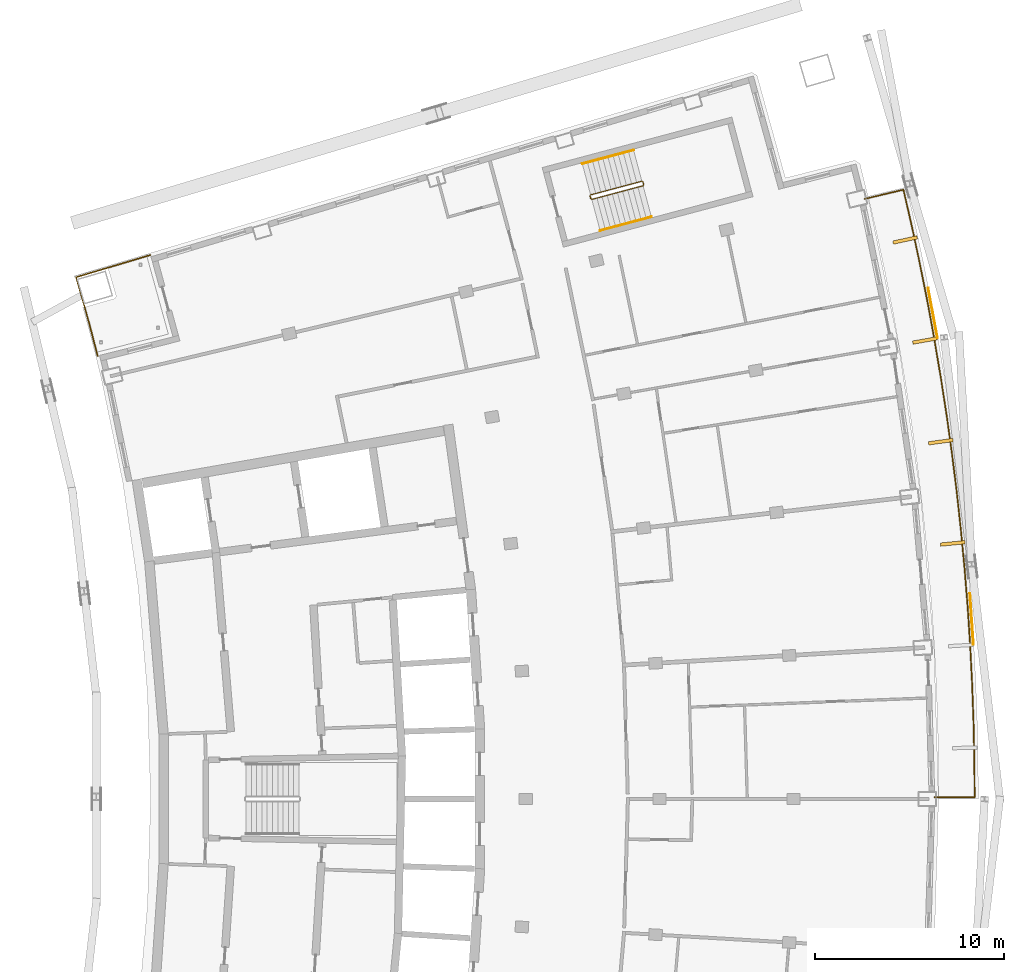
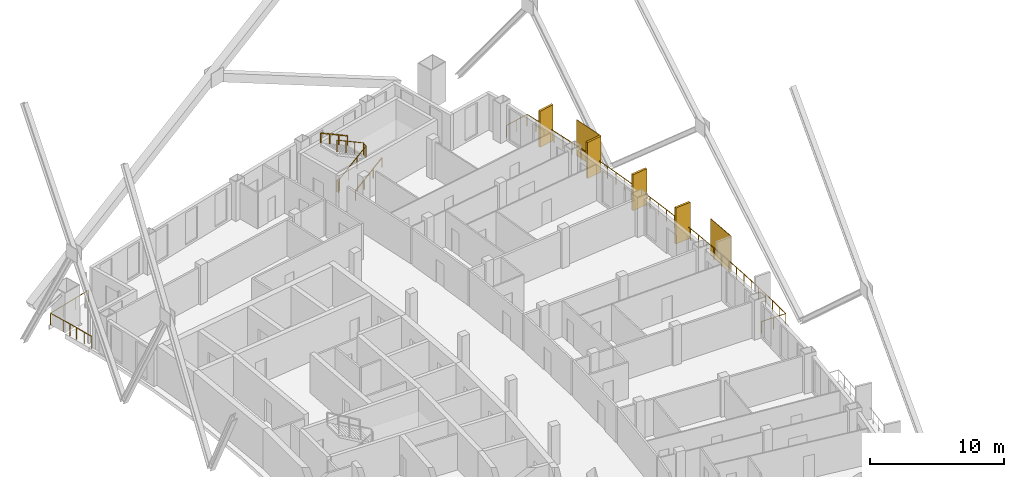
# One storey, part 16 of 16: 6 shading devices, 5 railings.
"""IFC4 building model written with IfcOpenShell, lengths in metres."""

import ifcopenshell
import ifcopenshell.guid

model = None  # the IFC model being written
_history = None  # IfcOwnerHistory: only IFC2X3 demands one
_inside = {}  # id of a spatial element -> (the spatial element, [elements in it])
_under = {}  # id of a project, library or spatial element -> (it, [spatial elements below it])
_declared = {}  # id of a project -> (the project, [libraries it declares])
_typed = {}  # id of a type object -> (the type object, [elements of that type])
_made_of = {}  # id of a material, layer set ... -> (it, [elements and type objects made of it])


def new_model(schema):
    """Start an empty IFC model of exactly this schema.

    Asked for "IFC4X3", IfcOpenShell would pick the latest addendum, in which some entities
    have other attributes; the version numbers below select the first issue.
    IFC2X3 requires an IfcOwnerHistory on every rooted entity: one is made here for all.
    """
    global model, _history
    if schema == "IFC4X3":
        model = ifcopenshell.file(schema_version=(4, 3, 0, 0))
    else:
        model = ifcopenshell.file(schema=schema)
    _inside.clear()
    _under.clear()
    _declared.clear()
    _typed.clear()
    _made_of.clear()
    _history = None
    if model.schema == "IFC2X3":
        org = make("IfcOrganization", Name="unknown")
        user = make(
            "IfcPersonAndOrganization",
            ThePerson=make("IfcPerson", FamilyName="unknown"),
            TheOrganization=org,
        )
        app = make(
            "IfcApplication",
            ApplicationDeveloper=org,
            Version="unknown",
            ApplicationFullName="unknown",
            ApplicationIdentifier="unknown",
        )
        _history = make(
            "IfcOwnerHistory",
            OwningUser=user,
            OwningApplication=app,
            ChangeAction="ADDED",
            CreationDate=0,
        )
    return model


def make(cls, **values):
    """One entity of the class cls with the attributes given. An attribute that is None is left unset."""
    return model.create_entity(
        cls, **{name: value for name, value in values.items() if value is not None}
    )


def rooted(cls, **values):
    """An entity with a GlobalId (a new one), such as an element, a storey or a relation."""
    return make(cls, GlobalId=ifcopenshell.guid.new(), OwnerHistory=_history, **values)


def si_unit(unit_type, name, prefix=None):
    """IfcSIUnit, for example si_unit("LENGTHUNIT", "METRE", prefix="MILLI")."""
    return make("IfcSIUnit", UnitType=unit_type, Prefix=prefix, Name=name)


def assignment(units):
    """IfcUnitAssignment: the units of a project."""
    return None if units is None else make("IfcUnitAssignment", Units=units)


def point(xyz):
    """IfcCartesianPoint."""
    return None if xyz is None else make("IfcCartesianPoint", Coordinates=xyz)


def direction(xyz):
    """IfcDirection."""
    return None if xyz is None else make("IfcDirection", DirectionRatios=xyz)


def frame(location, z_axis=None, x_axis=None):
    """IfcAxis2Placement3D, a coordinate frame: its origin and axes. An axis left out is left unset."""
    return make(
        "IfcAxis2Placement3D",
        Location=point(location),
        Axis=direction(z_axis),
        RefDirection=direction(x_axis),
    )


def frame_2d(location, x_axis=None):
    """IfcAxis2Placement2D, a coordinate frame in the plane: its origin and x axis."""
    return make(
        "IfcAxis2Placement2D", Location=point(location), RefDirection=direction(x_axis)
    )


def origin():
    """The frame at (0, 0, 0) with its axes left unset."""
    return frame((0.0, 0.0, 0.0))


def origin_2d():
    """The frame at (0, 0) in the plane with its x axis left unset."""
    return frame_2d((0.0, 0.0))


def place(relative_to, where):
    """IfcLocalPlacement: puts the frame where relative to a parent placement (None: the world)."""
    return make(
        "IfcLocalPlacement", PlacementRelTo=relative_to, RelativePlacement=where
    )


def context(
    kind, dimensions, precision=None, world=None, true_north=None, identifier=None
):
    """IfcGeometricRepresentationContext, for example the 3D "Model" context."""
    return make(
        "IfcGeometricRepresentationContext",
        ContextIdentifier=identifier,
        ContextType=kind,
        CoordinateSpaceDimension=dimensions,
        Precision=precision,
        WorldCoordinateSystem=world,
        TrueNorth=true_north,
    )


def subcontext(parent, identifier, kind, view, scale=None):
    """IfcGeometricRepresentationSubContext, for example "Body" below "Model"."""
    return make(
        "IfcGeometricRepresentationSubContext",
        ContextIdentifier=identifier,
        ContextType=kind,
        ParentContext=parent,
        TargetScale=scale,
        TargetView=view,
    )


def project(units=None, contexts=None):
    """IfcProject with its units and contexts."""
    return rooted(
        "IfcProject",
        Name="project",
        RepresentationContexts=contexts,
        UnitsInContext=assignment(units),
    )


def spatial(cls, under=None, at=None, **own):
    """A site, building, storey or space (cls), placed at a placement, below another one or the project."""
    s = rooted(cls, ObjectPlacement=at, **own)
    if under is not None:
        _under.setdefault(under.id(), (under, []))[1].append(s)
    return s


def profile(cls, at=None, kind="AREA", **sizes):
    """A parametric profile (cls). Its sizes go by their IFC names, for example OverallWidth=200.0."""
    return make(cls, ProfileType=kind, Position=at, **sizes)


def rectangle(**sizes):
    """IfcRectangleProfileDef."""
    return profile("IfcRectangleProfileDef", **sizes)


def extrude(swept, where, along, depth):
    """IfcExtrudedAreaSolid: the profile swept, set in the frame where, extruded along a direction by depth."""
    return make(
        "IfcExtrudedAreaSolid",
        SweptArea=swept,
        Position=where,
        ExtrudedDirection=direction(along),
        Depth=depth,
    )


def shape(context_of_items, identifier, shape_type, items):
    """IfcShapeRepresentation: the items that make up one representation, for example the "Body"."""
    return make(
        "IfcShapeRepresentation",
        ContextOfItems=context_of_items,
        RepresentationIdentifier=identifier,
        RepresentationType=shape_type,
        Items=items,
    )


def material(Name=None, Category=None):
    """IfcMaterial."""
    return make("IfcMaterial", Name=Name, Category=Category)


def layer(
    of_material, thickness, ventilated=None, Name=None, Category=None, Priority=None
):
    """IfcMaterialLayer: one layer of a wall or slab, of a material (None: an air gap)."""
    return make(
        "IfcMaterialLayer",
        Material=of_material,
        LayerThickness=thickness,
        IsVentilated=ventilated,
        Name=Name,
        Category=Category,
        Priority=Priority,
    )


def layer_set(layers, Name=None):
    """IfcMaterialLayerSet."""
    return make("IfcMaterialLayerSet", MaterialLayers=layers, LayerSetName=Name)


def made_of(thing, what):
    """Note that an element or type object is made of a material, layer set ...; save() writes the relation."""
    if what is not None:
        _made_of.setdefault(what.id(), (what, []))[1].append(thing)
    return thing


def type_object(cls, material=None, **own):
    """A type object (cls), such as IfcWallType, which elements share."""
    return made_of(rooted(cls, **own), material)


def element(
    cls,
    number,
    at=None,
    inside=None,
    cuts=None,
    type_object=None,
    material=None,
    context=None,
    identifier="Body",
    shape_type=None,
    held_by="IfcProductDefinitionShape",
    body=None,
    shapes=None,
    **own,
):
    """One element of the class cls, such as IfcWall. Its Tag is "e" and its number.

    at: its placement. inside: the storey or other place that contains it. cuts: it is an
    opening in that element (IfcRelVoidsElement). A single representation is given by context,
    identifier, shape_type and body (its items); several are given by shapes. held_by: the class
    of the entity that holds the representations. save() writes the other relations.
    """
    e = rooted(cls, Tag="e%d" % number, ObjectPlacement=at, **own)
    if body is not None:
        shapes = [shape(context, identifier, shape_type, body)]
    if shapes is not None:
        e.Representation = make(held_by, Representations=shapes)
    if inside is not None:
        _inside.setdefault(inside.id(), (inside, []))[1].append(e)
    if cuts is not None:
        rooted(
            "IfcRelVoidsElement", RelatingBuildingElement=cuts, RelatedOpeningElement=e
        )
    if type_object is not None:
        _typed.setdefault(type_object.id(), (type_object, []))[1].append(e)
    return made_of(e, material)


def aggregate(whole, parts):
    """IfcRelAggregates: a whole, such as a stair, and the parts it consists of."""
    return rooted("IfcRelAggregates", RelatingObject=whole, RelatedObjects=parts)


def save(model, path):
    """Write the relations noted so far, then the file.

    IfcRelAggregates (storeys below a building ...), IfcRelContainedInSpatialStructure (elements
    in a storey), IfcRelDefinesByType, IfcRelAssociatesMaterial and IfcRelDeclares: one each for
    every whole, place, type object, material and project.
    """
    for whole, parts in _under.values():
        aggregate(whole, parts)
    for where, things in _inside.values():
        rooted(
            "IfcRelContainedInSpatialStructure",
            RelatedElements=things,
            RelatingStructure=where,
        )
    for kind, things in _typed.values():
        rooted("IfcRelDefinesByType", RelatedObjects=things, RelatingType=kind)
    for what, things in _made_of.values():
        rooted("IfcRelAssociatesMaterial", RelatedObjects=things, RelatingMaterial=what)
    for by, libraries in _declared.values():
        rooted("IfcRelDeclares", RelatingContext=by, RelatedDefinitions=libraries)
    model.write(path)


model = new_model("IFC4")

# Units and contexts
model_context = context("Model", 3, precision=1e-05, world=origin(), true_north=direction((0.0, 1.0)))
body_context = subcontext(model_context, "Body", "Model", "MODEL_VIEW")
ifc_project = project(units=[si_unit("LENGTHUNIT", "METRE"), si_unit("AREAUNIT", "SQUARE_METRE"), si_unit("VOLUMEUNIT", "CUBIC_METRE"), si_unit("PLANEANGLEUNIT", "RADIAN"), si_unit("MASSUNIT", "GRAM", prefix="KILO")], contexts=[model_context])

# Site, building, storey
site_placement = place(None, origin())
site = spatial("IfcSite", under=ifc_project, at=site_placement, CompositionType="ELEMENT")
building_placement = place(site_placement, origin())
building = spatial("IfcBuilding", under=site, at=building_placement, Name="Alderwake Tower", CompositionType="ELEMENT")
storey_placement = place(building_placement, frame((0.0, 0.0, 245.60009765625)))
storey = spatial("IfcBuildingStorey", under=building, at=storey_placement, Name="L60", CompositionType="ELEMENT", Elevation=245.60009765625)

# Railings
ifc_material_1 = material(Name="Stainless steel 316 rail and posts", Category="steel")
railing_type_1 = type_object("IfcRailingType", Name="Balcony guard 1100", PredefinedType="GUARDRAIL", material=ifc_material_1)
railing_1_placement = place(storey_placement, frame((57.39990234375, 61.098388671875, 0.0)))
element("IfcRailing", 1, at=railing_1_placement, inside=storey, type_object=railing_type_1, Name="Guard BF07", PredefinedType="GUARDRAIL", context=body_context, shape_type="SweptSolid", body=[
    extrude(rectangle(XDim=0.048095703125, YDim=0.048095703125, at=origin_2d()), frame((0.0, 0.0, 1.076171875), z_axis=(0.999999668894, 0.000813763971, 0.0), x_axis=(-0.000813763971, 0.999999668894, 0.0)), (0.0, 0.0, 1.0), 2.10009765625),
    extrude(rectangle(XDim=0.048095703125, YDim=0.048095703125, at=origin_2d()), frame((2.10009765625, 0.001708984375, 1.076171875), z_axis=(-0.007699847475, 0.999970355735, 0.0), x_axis=(-0.999970355735, -0.007699847475, 0.0)), (0.0, 0.0, 1.0), 1.93408203125),
    extrude(rectangle(XDim=0.048095703125, YDim=0.048095703125, at=origin_2d()), frame((2.085205078125, 1.935791015625, 1.076171875), z_axis=(-0.021840905717, 0.999761458968, 0.0), x_axis=(-0.999761458968, -0.021840905717, 0.0)), (0.0, 0.0, 1.0), 2.034423828125),
    extrude(rectangle(XDim=0.048095703125, YDim=0.048095703125, at=origin_2d()), frame((2.040771484375, 3.9697265625, 1.076171875), z_axis=(-0.036479066148, 0.999334417366, 0.0), x_axis=(-0.999334417366, -0.036479066148, 0.0)), (0.0, 0.0, 1.0), 2.03466796875),
    extrude(rectangle(XDim=0.048095703125, YDim=0.048095703125, at=origin_2d()), frame((1.966552734375, 6.0029296875, 1.076171875), z_axis=(-0.05100910108, 0.998698188447, 0.0), x_axis=(-0.998698188447, -0.05100910108, 0.0)), (0.0, 0.0, 1.0), 2.0341796875),
    extrude(rectangle(XDim=0.048095703125, YDim=0.048095703125, at=origin_2d()), frame((1.86279296875, 8.034423828125, 1.076171875), z_axis=(-0.065523351264, 0.997851036197, 0.0), x_axis=(-0.997851036197, -0.065523351264, 0.0)), (0.0, 0.0, 1.0), 2.034423828125),
    extrude(rectangle(XDim=0.048095703125, YDim=0.048095703125, at=origin_2d()), frame((1.7294921875, 10.064453125, 1.076171875), z_axis=(-0.080164954989, 0.996781610982, 0.0), x_axis=(-0.996781610982, -0.080164954989, 0.0)), (0.0, 0.0, 1.0), 2.034423828125),
    extrude(rectangle(XDim=0.048095703125, YDim=0.048095703125, at=origin_2d()), frame((1.56640625, 12.09228515625, 1.076171875), z_axis=(-0.094690157844, 0.995506792547, 0.0), x_axis=(-0.995506792547, -0.094690157844, 0.0)), (0.0, 0.0, 1.0), 2.0341796875),
    extrude(rectangle(XDim=0.048095703125, YDim=0.048095703125, at=origin_2d()), frame((1.373779296875, 14.117431640625, 1.076171875), z_axis=(-0.109087913088, 0.994032105728, 0.0), x_axis=(-0.994032105728, -0.109087913088, 0.0)), (0.0, 0.0, 1.0), 2.034423828125),
    extrude(rectangle(XDim=0.048095703125, YDim=0.048095703125, at=origin_2d()), frame((1.15185546875, 16.1396484375, 1.076171875), z_axis=(-0.123606393187, 0.992331325497, 0.0), x_axis=(-0.992331325497, -0.123606393187, 0.0)), (0.0, 0.0, 1.0), 2.034423828125),
    extrude(rectangle(XDim=0.048095703125, YDim=0.048095703125, at=origin_2d()), frame((0.900390625, 18.158447265625, 1.076171875), z_axis=(-0.138127592806, 0.990414442597, 0.0), x_axis=(-0.990414442597, -0.138127592806, 0.0)), (0.0, 0.0, 1.0), 2.034423828125),
    extrude(rectangle(XDim=0.048095703125, YDim=0.048095703125, at=origin_2d()), frame((0.619384765625, 20.17333984375, 1.076171875), z_axis=(-0.152535132968, 0.988298048774, 0.0), x_axis=(-0.988298048774, -0.152535132968, 0.0)), (0.0, 0.0, 1.0), 2.034423828125),
    extrude(rectangle(XDim=0.048095703125, YDim=0.048095703125, at=origin_2d()), frame((0.30908203125, 22.183837890625, 1.076171875), z_axis=(-0.166928302152, 0.985969037009, 0.0), x_axis=(-0.985969037009, -0.166928302152, 0.0)), (0.0, 0.0, 1.0), 2.034423828125),
    extrude(rectangle(XDim=0.048095703125, YDim=0.048095703125, at=origin_2d()), frame((-0.030517578125, 24.189697265625, 1.076171875), z_axis=(-0.181324306286, 0.983423355402, 0.0), x_axis=(-0.983423355402, -0.181324306286, 0.0)), (0.0, 0.0, 1.0), 2.034423828125),
    extrude(rectangle(XDim=0.048095703125, YDim=0.048095703125, at=origin_2d()), frame((-0.3994140625, 26.1904296875, 1.076171875), z_axis=(-0.195631417955, 0.980677494546, 0.0), x_axis=(-0.980677494546, -0.195631417955, 0.0)), (0.0, 0.0, 1.0), 2.0341796875),
    extrude(rectangle(XDim=0.048095703125, YDim=0.048095703125, at=origin_2d()), frame((-0.79736328125, 28.185302734375, 1.076171875), z_axis=(-0.209897885741, 0.977723313398, 0.0), x_axis=(-0.977723313398, -0.209897885741, 0.0)), (0.0, 0.0, 1.0), 2.034423828125),
    extrude(rectangle(XDim=0.048095703125, YDim=0.048095703125, at=origin_2d()), frame((-1.224365234375, 30.17431640625, 1.076171875), z_axis=(-0.223633448533, 0.974673319988, 0.0), x_axis=(-0.974673319988, -0.223633448533, 0.0)), (0.0, 0.0, 1.0), 1.9345703125),
    extrude(rectangle(XDim=0.048095703125, YDim=0.048095703125, at=origin_2d()), frame((-1.656982421875, 32.059814453125, 1.076171875), z_axis=(-0.973069996158, -0.230509831846, 0.0), x_axis=(0.230509831846, -0.973069996158, 0.0)), (0.0, 0.0, 1.0), 2.100341796875),
    extrude(rectangle(XDim=0.0419921875, YDim=0.0419921875, at=origin_2d()), frame((0.0, 0.0, 0.0), z_axis=(0.0, 0.0, 1.0), x_axis=(0.999999668894, 0.000813763971, 0.0)), (0.0, 0.0, 1.0), 1.052001953125),
    extrude(rectangle(XDim=0.0419921875, YDim=0.0419921875, at=origin_2d()), frame((1.050048828125, 0.0009765625, 0.0), z_axis=(0.0, 0.0, 1.0), x_axis=(0.999999668894, 0.000813763971, 0.0)), (0.0, 0.0, 1.0), 1.052001953125),
    extrude(rectangle(XDim=0.0419921875, YDim=0.0419921875, at=origin_2d()), frame((2.10009765625, 0.001708984375, 0.0), z_axis=(0.0, 0.0, 1.0), x_axis=(-0.007699847475, 0.999970355735, 0.0)), (0.0, 0.0, 1.0), 1.052001953125),
    extrude(rectangle(XDim=0.0419921875, YDim=0.0419921875, at=origin_2d()), frame((2.0927734375, 0.96875, 0.0), z_axis=(0.0, 0.0, 1.0), x_axis=(-0.007699847475, 0.999970355735, 0.0)), (0.0, 0.0, 1.0), 1.052001953125),
    extrude(rectangle(XDim=0.0419921875, YDim=0.0419921875, at=origin_2d()), frame((2.085205078125, 1.935791015625, 0.0), z_axis=(0.0, 0.0, 1.0), x_axis=(-0.021840905717, 0.999761458968, 0.0)), (0.0, 0.0, 1.0), 1.052001953125),
    extrude(rectangle(XDim=0.0419921875, YDim=0.0419921875, at=origin_2d()), frame((2.06298828125, 2.95263671875, 0.0), z_axis=(0.0, 0.0, 1.0), x_axis=(-0.021840905717, 0.999761458968, 0.0)), (0.0, 0.0, 1.0), 1.052001953125),
    extrude(rectangle(XDim=0.0419921875, YDim=0.0419921875, at=origin_2d()), frame((2.040771484375, 3.9697265625, 0.0), z_axis=(0.0, 0.0, 1.0), x_axis=(-0.036479066148, 0.999334417366, 0.0)), (0.0, 0.0, 1.0), 1.052001953125),
    extrude(rectangle(XDim=0.0419921875, YDim=0.0419921875, at=origin_2d()), frame((2.003662109375, 4.986328125, 0.0), z_axis=(0.0, 0.0, 1.0), x_axis=(-0.036479066148, 0.999334417366, 0.0)), (0.0, 0.0, 1.0), 1.052001953125),
    extrude(rectangle(XDim=0.0419921875, YDim=0.0419921875, at=origin_2d()), frame((1.966552734375, 6.0029296875, 0.0), z_axis=(0.0, 0.0, 1.0), x_axis=(-0.05100910108, 0.998698188447, 0.0)), (0.0, 0.0, 1.0), 1.052001953125),
    extrude(rectangle(XDim=0.0419921875, YDim=0.0419921875, at=origin_2d()), frame((1.91455078125, 7.0185546875, 0.0), z_axis=(0.0, 0.0, 1.0), x_axis=(-0.05100910108, 0.998698188447, 0.0)), (0.0, 0.0, 1.0), 1.052001953125),
    extrude(rectangle(XDim=0.0419921875, YDim=0.0419921875, at=origin_2d()), frame((1.86279296875, 8.034423828125, 0.0), z_axis=(0.0, 0.0, 1.0), x_axis=(-0.065523351264, 0.997851036197, 0.0)), (0.0, 0.0, 1.0), 1.052001953125),
    extrude(rectangle(XDim=0.0419921875, YDim=0.0419921875, at=origin_2d()), frame((1.796142578125, 9.04931640625, 0.0), z_axis=(0.0, 0.0, 1.0), x_axis=(-0.065523351264, 0.997851036197, 0.0)), (0.0, 0.0, 1.0), 1.052001953125),
    extrude(rectangle(XDim=0.0419921875, YDim=0.0419921875, at=origin_2d()), frame((1.7294921875, 10.064453125, 0.0), z_axis=(0.0, 0.0, 1.0), x_axis=(-0.080164954989, 0.996781610982, 0.0)), (0.0, 0.0, 1.0), 1.052001953125),
    extrude(rectangle(XDim=0.0419921875, YDim=0.0419921875, at=origin_2d()), frame((1.64794921875, 11.078369140625, 0.0), z_axis=(0.0, 0.0, 1.0), x_axis=(-0.080164954989, 0.996781610982, 0.0)), (0.0, 0.0, 1.0), 1.052001953125),
    extrude(rectangle(XDim=0.0419921875, YDim=0.0419921875, at=origin_2d()), frame((1.56640625, 12.09228515625, 0.0), z_axis=(0.0, 0.0, 1.0), x_axis=(-0.094690157844, 0.995506792547, 0.0)), (0.0, 0.0, 1.0), 1.052001953125),
    extrude(rectangle(XDim=0.0419921875, YDim=0.0419921875, at=origin_2d()), frame((1.47021484375, 13.10498046875, 0.0), z_axis=(0.0, 0.0, 1.0), x_axis=(-0.094690157844, 0.995506792547, 0.0)), (0.0, 0.0, 1.0), 1.052001953125),
    extrude(rectangle(XDim=0.0419921875, YDim=0.0419921875, at=origin_2d()), frame((1.373779296875, 14.117431640625, 0.0), z_axis=(0.0, 0.0, 1.0), x_axis=(-0.109087913088, 0.994032105728, 0.0)), (0.0, 0.0, 1.0), 1.052001953125),
    extrude(rectangle(XDim=0.0419921875, YDim=0.0419921875, at=origin_2d()), frame((1.2626953125, 15.12841796875, 0.0), z_axis=(0.0, 0.0, 1.0), x_axis=(-0.109087913088, 0.994032105728, 0.0)), (0.0, 0.0, 1.0), 1.052001953125),
    extrude(rectangle(XDim=0.0419921875, YDim=0.0419921875, at=origin_2d()), frame((1.15185546875, 16.1396484375, 0.0), z_axis=(0.0, 0.0, 1.0), x_axis=(-0.123606393187, 0.992331325497, 0.0)), (0.0, 0.0, 1.0), 1.052001953125),
    extrude(rectangle(XDim=0.0419921875, YDim=0.0419921875, at=origin_2d()), frame((1.026123046875, 17.14892578125, 0.0), z_axis=(0.0, 0.0, 1.0), x_axis=(-0.123606393187, 0.992331325497, 0.0)), (0.0, 0.0, 1.0), 1.052001953125),
    extrude(rectangle(XDim=0.0419921875, YDim=0.0419921875, at=origin_2d()), frame((0.900390625, 18.158447265625, 0.0), z_axis=(0.0, 0.0, 1.0), x_axis=(-0.138127592806, 0.990414442597, 0.0)), (0.0, 0.0, 1.0), 1.052001953125),
    extrude(rectangle(XDim=0.0419921875, YDim=0.0419921875, at=origin_2d()), frame((0.759765625, 19.166015625, 0.0), z_axis=(0.0, 0.0, 1.0), x_axis=(-0.138127592806, 0.990414442597, 0.0)), (0.0, 0.0, 1.0), 1.052001953125),
    extrude(rectangle(XDim=0.0419921875, YDim=0.0419921875, at=origin_2d()), frame((0.619384765625, 20.17333984375, 0.0), z_axis=(0.0, 0.0, 1.0), x_axis=(-0.152535132968, 0.988298048774, 0.0)), (0.0, 0.0, 1.0), 1.052001953125),
    extrude(rectangle(XDim=0.0419921875, YDim=0.0419921875, at=origin_2d()), frame((0.46435546875, 21.1787109375, 0.0), z_axis=(0.0, 0.0, 1.0), x_axis=(-0.152535132968, 0.988298048774, 0.0)), (0.0, 0.0, 1.0), 1.052001953125),
    extrude(rectangle(XDim=0.0419921875, YDim=0.0419921875, at=origin_2d()), frame((0.30908203125, 22.183837890625, 0.0), z_axis=(0.0, 0.0, 1.0), x_axis=(-0.166928302152, 0.985969037009, 0.0)), (0.0, 0.0, 1.0), 1.052001953125),
    extrude(rectangle(XDim=0.0419921875, YDim=0.0419921875, at=origin_2d()), frame((0.13916015625, 23.186767578125, 0.0), z_axis=(0.0, 0.0, 1.0), x_axis=(-0.166928302152, 0.985969037009, 0.0)), (0.0, 0.0, 1.0), 1.052001953125),
    extrude(rectangle(XDim=0.0419921875, YDim=0.0419921875, at=origin_2d()), frame((-0.030517578125, 24.189697265625, 0.0), z_axis=(0.0, 0.0, 1.0), x_axis=(-0.181324306286, 0.983423355402, 0.0)), (0.0, 0.0, 1.0), 1.052001953125),
    extrude(rectangle(XDim=0.0419921875, YDim=0.0419921875, at=origin_2d()), frame((-0.21484375, 25.18994140625, 0.0), z_axis=(0.0, 0.0, 1.0), x_axis=(-0.181324306286, 0.983423355402, 0.0)), (0.0, 0.0, 1.0), 1.052001953125),
    extrude(rectangle(XDim=0.0419921875, YDim=0.0419921875, at=origin_2d()), frame((-0.3994140625, 26.1904296875, 0.0), z_axis=(0.0, 0.0, 1.0), x_axis=(-0.195631417955, 0.980677494546, 0.0)), (0.0, 0.0, 1.0), 1.052001953125),
    extrude(rectangle(XDim=0.0419921875, YDim=0.0419921875, at=origin_2d()), frame((-0.598388671875, 27.18798828125, 0.0), z_axis=(0.0, 0.0, 1.0), x_axis=(-0.195631417955, 0.980677494546, 0.0)), (0.0, 0.0, 1.0), 1.052001953125),
    extrude(rectangle(XDim=0.0419921875, YDim=0.0419921875, at=origin_2d()), frame((-0.79736328125, 28.185302734375, 0.0), z_axis=(0.0, 0.0, 1.0), x_axis=(-0.209897885741, 0.977723313398, 0.0)), (0.0, 0.0, 1.0), 1.052001953125),
    extrude(rectangle(XDim=0.0419921875, YDim=0.0419921875, at=origin_2d()), frame((-1.0107421875, 29.1796875, 0.0), z_axis=(0.0, 0.0, 1.0), x_axis=(-0.209897885741, 0.977723313398, 0.0)), (0.0, 0.0, 1.0), 1.052001953125),
    extrude(rectangle(XDim=0.0419921875, YDim=0.0419921875, at=origin_2d()), frame((-1.224365234375, 30.17431640625, 0.0), z_axis=(0.0, 0.0, 1.0), x_axis=(-0.223633448533, 0.974673319988, 0.0)), (0.0, 0.0, 1.0), 1.052001953125),
    extrude(rectangle(XDim=0.0419921875, YDim=0.0419921875, at=origin_2d()), frame((-1.440673828125, 31.1171875, 0.0), z_axis=(0.0, 0.0, 1.0), x_axis=(-0.223633448533, 0.974673319988, 0.0)), (0.0, 0.0, 1.0), 1.052001953125),
    extrude(rectangle(XDim=0.0419921875, YDim=0.0419921875, at=origin_2d()), frame((-1.656982421875, 32.059814453125, 0.0), z_axis=(0.0, 0.0, 1.0), x_axis=(-0.973069996158, -0.230509831846, 0.0)), (0.0, 0.0, 1.0), 1.052001953125),
    extrude(rectangle(XDim=0.0419921875, YDim=0.0419921875, at=origin_2d()), frame((-2.6787109375, 31.81787109375, 0.0), z_axis=(0.0, 0.0, 1.0), x_axis=(-0.973069996158, -0.230509831846, 0.0)), (0.0, 0.0, 1.0), 1.052001953125),
    extrude(rectangle(XDim=0.0419921875, YDim=0.0419921875, at=origin_2d()), frame((-3.70068359375, 31.57568359375, 0.0), z_axis=(0.0, 0.0, 1.0), x_axis=(-0.973069996158, -0.230509831846, 0.0)), (0.0, 0.0, 1.0), 1.052001953125),
])
railing_2_placement = place(storey_placement, frame((13.210693359375, 84.387451171875, 0.0)))
element("IfcRailing", 2, at=railing_2_placement, inside=storey, type_object=railing_type_1, Name="Guard terrace RN", PredefinedType="GUARDRAIL", context=body_context, shape_type="SweptSolid", body=[
    extrude(rectangle(XDim=0.048095703125, YDim=0.048095703125, at=origin_2d()), frame((0.0, 0.0, 1.076171875), z_axis=(-0.251385381433, 0.967887075026, 0.0), x_axis=(-0.967887075026, -0.251385381433, 0.0)), (0.0, 0.0, 1.0), 1.6015625),
    extrude(rectangle(XDim=0.048095703125, YDim=0.048095703125, at=origin_2d()), frame((-0.402587890625, 1.550048828125, 1.076171875), z_axis=(-0.266520638672, 0.963829211615, 0.0), x_axis=(-0.963829211615, -0.266520638672, 0.0)), (0.0, 0.0, 1.0), 1.401611328125),
    extrude(rectangle(XDim=0.048095703125, YDim=0.048095703125, at=origin_2d()), frame((-0.776123046875, 2.90087890625, 1.076171875), z_axis=(-0.280093650878, 0.959972680204, 0.0), x_axis=(-0.959972680204, -0.280093650878, 0.0)), (0.0, 0.0, 1.0), 1.30126953125),
    extrude(rectangle(XDim=0.048095703125, YDim=0.048095703125, at=origin_2d()), frame((-1.140625, 4.150146484375, 1.076171875), z_axis=(0.958066871889, 0.286544706789, 0.0), x_axis=(-0.286544706789, 0.958066871889, 0.0)), (0.0, 0.0, 1.0), 4.099853515625),
    extrude(rectangle(XDim=0.0419921875, YDim=0.0419921875, at=origin_2d()), frame((0.0, 0.0, 0.0), z_axis=(0.0, 0.0, 1.0), x_axis=(-0.251385381433, 0.967887075026, 0.0)), (0.0, 0.0, 1.0), 1.052001953125),
    extrude(rectangle(XDim=0.0419921875, YDim=0.0419921875, at=origin_2d()), frame((-0.201171875, 0.77490234375, 0.0), z_axis=(0.0, 0.0, 1.0), x_axis=(-0.251385381433, 0.967887075026, 0.0)), (0.0, 0.0, 1.0), 1.052001953125),
    extrude(rectangle(XDim=0.0419921875, YDim=0.0419921875, at=origin_2d()), frame((-0.402587890625, 1.550048828125, 0.0), z_axis=(0.0, 0.0, 1.0), x_axis=(-0.266520638672, 0.963829211615, 0.0)), (0.0, 0.0, 1.0), 1.052001953125),
    extrude(rectangle(XDim=0.0419921875, YDim=0.0419921875, at=origin_2d()), frame((-0.58935546875, 2.2255859375, 0.0), z_axis=(0.0, 0.0, 1.0), x_axis=(-0.266520638672, 0.963829211615, 0.0)), (0.0, 0.0, 1.0), 1.052001953125),
    extrude(rectangle(XDim=0.0419921875, YDim=0.0419921875, at=origin_2d()), frame((-0.776123046875, 2.90087890625, 0.0), z_axis=(0.0, 0.0, 1.0), x_axis=(-0.280093650878, 0.959972680204, 0.0)), (0.0, 0.0, 1.0), 1.052001953125),
    extrude(rectangle(XDim=0.0419921875, YDim=0.0419921875, at=origin_2d()), frame((-1.140625, 4.150146484375, 0.0), z_axis=(0.0, 0.0, 1.0), x_axis=(0.958066871889, 0.286544706789, 0.0)), (0.0, 0.0, 1.0), 1.052001953125),
    extrude(rectangle(XDim=0.0419921875, YDim=0.0419921875, at=origin_2d()), frame((0.168701171875, 4.541748046875, 0.0), z_axis=(0.0, 0.0, 1.0), x_axis=(0.958066871889, 0.286544706789, 0.0)), (0.0, 0.0, 1.0), 1.052001953125),
    extrude(rectangle(XDim=0.0419921875, YDim=0.0419921875, at=origin_2d()), frame((1.47802734375, 4.933349609375, 0.0), z_axis=(0.0, 0.0, 1.0), x_axis=(0.958066871889, 0.286544706789, 0.0)), (0.0, 0.0, 1.0), 1.052001953125),
    extrude(rectangle(XDim=0.0419921875, YDim=0.0419921875, at=origin_2d()), frame((2.787353515625, 5.324951171875, 0.0), z_axis=(0.0, 0.0, 1.0), x_axis=(0.958066871889, 0.286544706789, 0.0)), (0.0, 0.0, 1.0), 1.052001953125),
])

# Shading devices
ifc_material_2 = material(Name="Bronze anodised aluminium", Category="aluminium")
ifc_layer_1 = layer(ifc_material_2, 0.179931640625)
ifc_layer_set_1 = layer_set([ifc_layer_1], Name="Facade fin 1300")
shading_device_type_1 = type_object("IfcShadingDeviceType", Name="Facade fin 1300", PredefinedType="USERDEFINED", material=ifc_layer_set_1)
for number, where, z_axis, x_axis, name in (
    (3, (58.343994140625, 74.489501953125, 0.0), (0.0, 0.0, 1.0), (0.995279882363, 0.097046152751, 0.0), "Fin"),
    (4, (57.714599609375, 79.859619140625, 0.0), (0.0, 0.0, 1.0), (0.990752577235, 0.135680988728, 0.0), "Fin"),
    (5, (56.876953125, 85.200927734375, 0.0), (0.0, 0.0, 1.0), (0.984726421654, 0.174108800747, 0.0), "Fin"),
    (6, (55.832275390625, 90.505859375, 0.0), (0.0, 0.0, 1.0), (0.977210363881, 0.212273184185, 0.0), "Fin"),
):
    element("IfcShadingDevice", number, at=place(storey_placement, frame(where, z_axis=z_axis, x_axis=x_axis)), inside=storey, type_object=shading_device_type_1, Name=name, ObjectType="FIN", PredefinedType="USERDEFINED", context=body_context, shape_type="SweptSolid", body=[
        extrude(rectangle(XDim=1.300048828125, YDim=0.179931640625, at=origin_2d()), origin(), (0.0, 0.0, 1.0), 3.280029296875),
    ])
ifc_material_3 = material(Name="Perforated bronze anodised aluminium", Category="aluminium")
ifc_layer_2 = layer(ifc_material_3, 0.050048828125)
ifc_layer_set_2 = layer_set([ifc_layer_2], Name="Perforated screen panel")
shading_device_type_2 = type_object("IfcShadingDeviceType", Name="Perforated screen panel", PredefinedType="USERDEFINED", material=ifc_layer_set_2)
shading_device_1_placement = place(storey_placement, frame((59.34521484375, 70.4970703125, 0.0), z_axis=(0.0, 0.0, 1.0), x_axis=(0.997685465774, 0.067997877779, 0.0)))
element("IfcShadingDevice", 7, at=shading_device_1_placement, inside=storey, type_object=shading_device_type_2, Name="Screen panel", ObjectType="SCREEN", PredefinedType="USERDEFINED", context=body_context, shape_type="SweptSolid", body=[
    extrude(rectangle(XDim=0.050048828125, YDim=2.7236328125, at=origin_2d()), origin(), (0.0, 0.0, 1.0), 3.280029296875),
])
shading_device_2_placement = place(storey_placement, frame((57.29296875, 86.650390625, 0.0), z_axis=(0.0, 0.0, 1.0), x_axis=(0.982991488043, 0.183651121519, 0.0)))
element("IfcShadingDevice", 8, at=shading_device_2_placement, inside=storey, type_object=shading_device_type_2, Name="Screen panel", ObjectType="SCREEN", PredefinedType="USERDEFINED", context=body_context, shape_type="SweptSolid", body=[
    extrude(rectangle(XDim=0.050048828125, YDim=2.709716796875, at=origin_2d()), origin(), (0.0, 0.0, 1.0), 3.280029296875),
])

# Railings
ifc_material_4 = material(Name="Stainless steel guard", Category="steel")
railing_type_2 = type_object("IfcRailingType", Name="Stair guard 1100", PredefinedType="GUARDRAIL", material=ifc_material_4)
railing_3_placement = place(storey_placement, frame((39.23291015625, 92.6806640625, 0.0)))
element("IfcRailing", 9, at=railing_3_placement, inside=storey, type_object=railing_type_2, Name="L60 ST-A stair guard 1", PredefinedType="GUARDRAIL", context=body_context, shape_type="SweptSolid", body=[
    extrude(rectangle(XDim=0.048095703125, YDim=0.048095703125, at=origin_2d()), frame((0.0, 0.0, 1.076171875), z_axis=(-0.257055032184, 0.966396766566, 0.0), x_axis=(-0.966396766566, -0.257055032184, 0.0)), (0.0, 0.0, 1.0), 0.150146484375),
    extrude(rectangle(XDim=0.048095703125, YDim=0.048095703125, at=origin_2d()), frame((-0.03857421875, 0.14501953125, 1.076171875), z_axis=(0.379370725808, -0.685464465458, 0.621463047167), x_axis=(0.874937996095, 0.484234966715, 0.0)), (0.0, 0.0, 1.0), 0.26318359375),
    extrude(rectangle(XDim=0.048095703125, YDim=0.048095703125, at=origin_2d()), frame((0.061279296875, -0.035400390625, 1.23974609375), z_axis=(0.834290631165, 0.222236594766, 0.504549342183), x_axis=(-0.257402139082, 0.966304371715, 0.0)), (0.0, 0.0, 1.0), 3.242919921875),
    extrude(rectangle(XDim=0.048095703125, YDim=0.048095703125, at=origin_2d()), frame((2.766845703125, 0.685302734375, 2.8759765625), z_axis=(0.500220121494, 0.865898279276, 0.0), x_axis=(-0.865898279276, 0.500220121494, 0.0)), (0.0, 0.0, 1.0), 0.07080078125),
    extrude(rectangle(XDim=0.048095703125, YDim=0.048095703125, at=origin_2d()), frame((2.80224609375, 0.74658203125, 2.8759765625), z_axis=(-0.257459803502, 0.966289009345, 0.0), x_axis=(-0.966289009345, -0.257459803502, 0.0)), (0.0, 0.0, 1.0), 0.14990234375),
    extrude(rectangle(XDim=0.048095703125, YDim=0.048095703125, at=origin_2d()), frame((2.763671875, 0.891357421875, 2.8759765625), z_axis=(-0.34209458732, 0.199783238995, 0.918181872367), x_axis=(-0.504300490226, -0.863528236688, 0.0)), (0.0, 0.0, 1.0), 0.178466796875),
    extrude(rectangle(XDim=0.048095703125, YDim=0.048095703125, at=origin_2d()), frame((2.70263671875, 0.927001953125, 3.03955078125), z_axis=(-0.834313512087, -0.222222637163, 0.504517653885), x_axis=(0.257380452725, -0.966310148221, 0.0)), (0.0, 0.0, 1.0), 3.2431640625),
    extrude(rectangle(XDim=0.0419921875, YDim=0.0419921875, at=origin_2d()), frame((0.0, 0.0, 0.0), z_axis=(0.0, 0.0, 1.0), x_axis=(-0.257055032184, 0.966396766566, 0.0)), (0.0, 0.0, 1.0), 1.052001953125),
    extrude(rectangle(XDim=0.0419921875, YDim=0.0419921875, at=origin_2d()), frame((-0.03857421875, 0.14501953125, 0.0), z_axis=(0.0, 0.0, 1.0), x_axis=(0.484234966715, -0.874937996095, 0.0)), (0.0, 0.0, 1.0), 1.052001953125),
    extrude(rectangle(XDim=0.0419921875, YDim=0.0419921875, at=origin_2d()), frame((0.061279296875, -0.035400390625, 0.16357421875), z_axis=(0.0, 0.0, 1.0), x_axis=(0.966304371715, 0.257402139082, 0.0)), (0.0, 0.0, 1.0), 1.052001953125),
    extrude(rectangle(XDim=0.0419921875, YDim=0.0419921875, at=origin_2d()), frame((0.963134765625, 0.204833984375, 0.708984375), z_axis=(0.0, 0.0, 1.0), x_axis=(0.966304371715, 0.257402139082, 0.0)), (0.0, 0.0, 1.0), 1.052001953125),
    extrude(rectangle(XDim=0.0419921875, YDim=0.0419921875, at=origin_2d()), frame((1.864990234375, 0.445068359375, 1.25439453125), z_axis=(0.0, 0.0, 1.0), x_axis=(0.966304371715, 0.257402139082, 0.0)), (0.0, 0.0, 1.0), 1.052001953125),
    extrude(rectangle(XDim=0.0419921875, YDim=0.0419921875, at=origin_2d()), frame((2.766845703125, 0.685302734375, 1.7998046875), z_axis=(0.0, 0.0, 1.0), x_axis=(0.500220121494, 0.865898279276, 0.0)), (0.0, 0.0, 1.0), 1.052001953125),
    extrude(rectangle(XDim=0.0419921875, YDim=0.0419921875, at=origin_2d()), frame((2.80224609375, 0.74658203125, 1.7998046875), z_axis=(0.0, 0.0, 1.0), x_axis=(-0.257459803502, 0.966289009345, 0.0)), (0.0, 0.0, 1.0), 1.052001953125),
    extrude(rectangle(XDim=0.0419921875, YDim=0.0419921875, at=origin_2d()), frame((2.763671875, 0.891357421875, 1.7998046875), z_axis=(0.0, 0.0, 1.0), x_axis=(-0.863528236688, 0.504300490226, 0.0)), (0.0, 0.0, 1.0), 1.052001953125),
    extrude(rectangle(XDim=0.0419921875, YDim=0.0419921875, at=origin_2d()), frame((2.70263671875, 0.927001953125, 1.963623046875), z_axis=(0.0, 0.0, 1.0), x_axis=(-0.966310148221, -0.257380452725, 0.0)), (0.0, 0.0, 1.0), 1.052001953125),
    extrude(rectangle(XDim=0.0419921875, YDim=0.0419921875, at=origin_2d()), frame((1.80078125, 0.686767578125, 2.509033203125), z_axis=(0.0, 0.0, 1.0), x_axis=(-0.966310148221, -0.257380452725, 0.0)), (0.0, 0.0, 1.0), 1.052001953125),
    extrude(rectangle(XDim=0.0419921875, YDim=0.0419921875, at=origin_2d()), frame((0.898681640625, 0.446533203125, 3.054443359375), z_axis=(0.0, 0.0, 1.0), x_axis=(-0.966310148221, -0.257380452725, 0.0)), (0.0, 0.0, 1.0), 1.052001953125),
    extrude(rectangle(XDim=0.0419921875, YDim=0.0419921875, at=origin_2d()), frame((-0.003173828125, 0.206298828125, 3.599853515625), z_axis=(0.0, 0.0, 1.0), x_axis=(-0.966310148221, -0.257380452725, 0.0)), (0.0, 0.0, 1.0), 1.052001953125),
])
ifc_material_5 = material(Name="Stainless steel handrail", Category="steel")
railing_type_3 = type_object("IfcRailingType", Name="Stair handrail 900", PredefinedType="HANDRAIL", material=ifc_material_5)
railing_4_placement = place(storey_placement, frame((39.731689453125, 91.002685546875, 0.16357421875)))
element("IfcRailing", 10, at=railing_4_placement, inside=storey, type_object=railing_type_3, Name="L60 ST-A stair handrail 1", PredefinedType="HANDRAIL", context=body_context, shape_type="SweptSolid", body=[
    extrude(rectangle(XDim=0.048095703125, YDim=0.048095703125, at=origin_2d()), frame((0.0, 0.0, 0.8759765625), z_axis=(0.834290631165, 0.222236594766, 0.504549342183), x_axis=(-0.257402139082, 0.966304371715, 0.0)), (0.0, 0.0, 1.0), 3.242919921875),
    extrude(rectangle(XDim=0.0419921875, YDim=0.0419921875, at=origin_2d()), frame((0.0, 0.0, 0.0), z_axis=(0.0, 0.0, 1.0), x_axis=(0.966304371715, 0.257402139082, 0.0)), (0.0, 0.0, 1.0), 0.851806640625),
    extrude(rectangle(XDim=0.0419921875, YDim=0.0419921875, at=origin_2d()), frame((0.90185546875, 0.240234375, 0.54541015625), z_axis=(0.0, 0.0, 1.0), x_axis=(0.966304371715, 0.257402139082, 0.0)), (0.0, 0.0, 1.0), 0.851806640625),
    extrude(rectangle(XDim=0.0419921875, YDim=0.0419921875, at=origin_2d()), frame((1.8037109375, 0.48046875, 1.0908203125), z_axis=(0.0, 0.0, 1.0), x_axis=(0.966304371715, 0.257402139082, 0.0)), (0.0, 0.0, 1.0), 0.851806640625),
    extrude(rectangle(XDim=0.0419921875, YDim=0.0419921875, at=origin_2d()), frame((2.70556640625, 0.720703125, 1.63623046875), z_axis=(0.0, 0.0, 1.0), x_axis=(0.966304371715, 0.257402139082, 0.0)), (0.0, 0.0, 1.0), 0.851806640625),
])
railing_5_placement = place(storey_placement, frame((41.497802734375, 95.250244140625, 1.963623046875)))
element("IfcRailing", 11, at=railing_5_placement, inside=storey, type_object=railing_type_3, Name="L60 ST-A stair handrail 2", PredefinedType="HANDRAIL", context=body_context, shape_type="SweptSolid", body=[
    extrude(rectangle(XDim=0.048095703125, YDim=0.048095703125, at=origin_2d()), frame((0.0, 0.0, 0.8759765625), z_axis=(-0.834290631165, -0.222236594766, 0.504549342183), x_axis=(0.257402139082, -0.966304371715, 0.0)), (0.0, 0.0, 1.0), 3.242919921875),
    extrude(rectangle(XDim=0.0419921875, YDim=0.0419921875, at=origin_2d()), frame((0.0, 0.0, 0.0), z_axis=(0.0, 0.0, 1.0), x_axis=(-0.966304371715, -0.257402139082, 0.0)), (0.0, 0.0, 1.0), 0.851806640625),
    extrude(rectangle(XDim=0.0419921875, YDim=0.0419921875, at=origin_2d()), frame((-0.90185546875, -0.240234375, 0.54541015625), z_axis=(0.0, 0.0, 1.0), x_axis=(-0.966304371715, -0.257402139082, 0.0)), (0.0, 0.0, 1.0), 0.851806640625),
    extrude(rectangle(XDim=0.0419921875, YDim=0.0419921875, at=origin_2d()), frame((-1.8037109375, -0.48046875, 1.0908203125), z_axis=(0.0, 0.0, 1.0), x_axis=(-0.966304371715, -0.257402139082, 0.0)), (0.0, 0.0, 1.0), 0.851806640625),
    extrude(rectangle(XDim=0.0419921875, YDim=0.0419921875, at=origin_2d()), frame((-2.70556640625, -0.720703125, 1.63623046875), z_axis=(0.0, 0.0, 1.0), x_axis=(-0.966304371715, -0.257402139082, 0.0)), (0.0, 0.0, 1.0), 0.851806640625),
])

save(model, "model.ifc")
